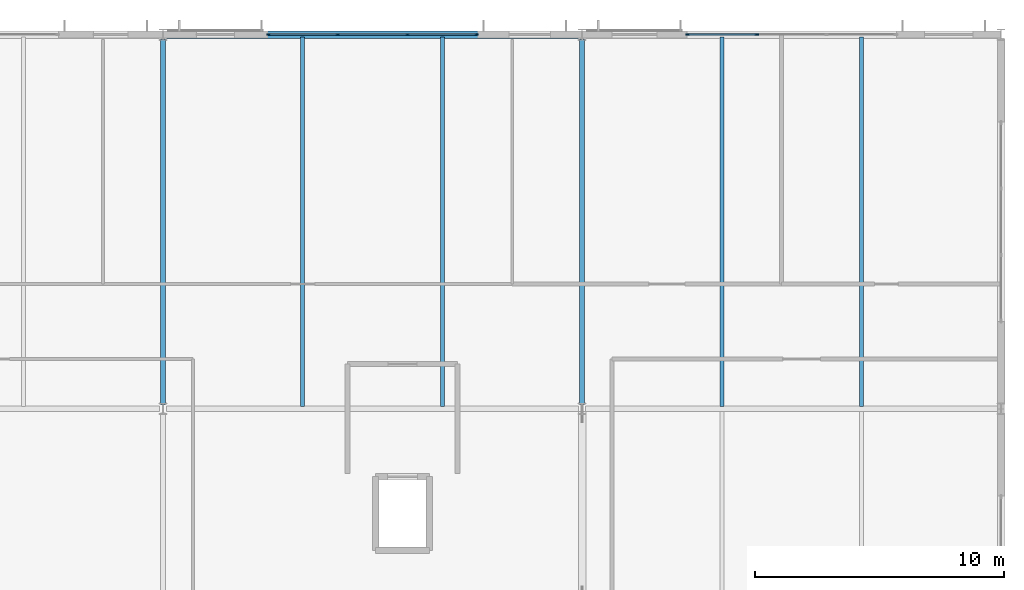
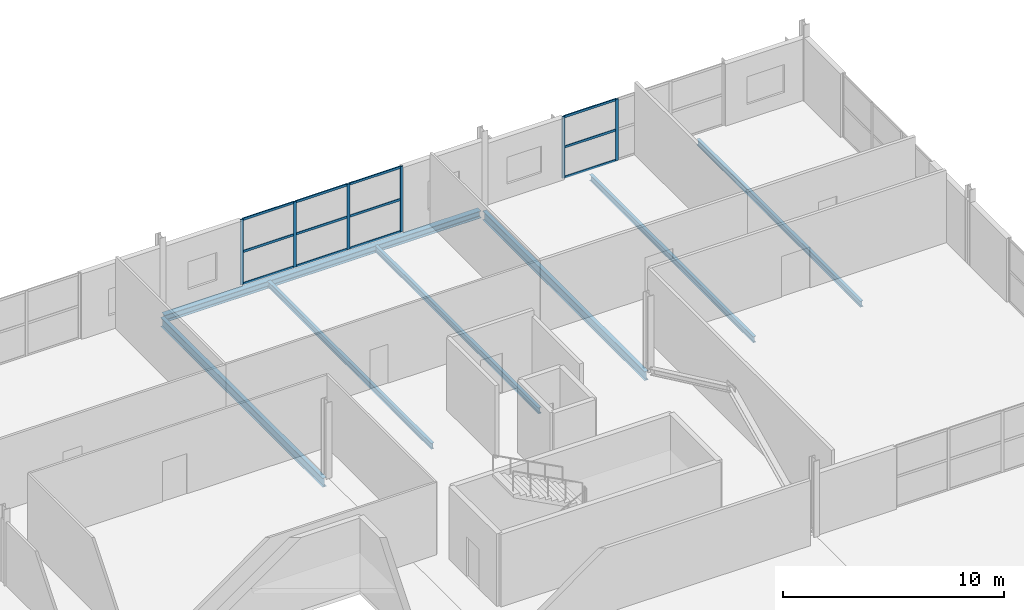
# One storey, part 22 of 39: 18 members, 7 beams, 2 elements without a shape of their own.
"""IFC4 building model written with IfcOpenShell, lengths in metres."""

from ifc_helpers import new_model, si_unit, direction, frame, origin, origin_2d, place, context, subcontext, project, spatial, rectangle, i_section, extrude, material, material_profile, profile_set, type_object, element, aggregate, save


model = new_model("IFC4")

# Units and contexts
model_context = context("Model", 3, precision=1e-05, world=origin(), true_north=direction((0.0, 1.0)))
body_context = subcontext(model_context, "Body", "Model", "MODEL_VIEW")
ifc_project = project(units=[si_unit("LENGTHUNIT", "METRE"), si_unit("AREAUNIT", "SQUARE_METRE"), si_unit("VOLUMEUNIT", "CUBIC_METRE"), si_unit("PLANEANGLEUNIT", "RADIAN"), si_unit("MASSUNIT", "GRAM", prefix="KILO")], contexts=[model_context])

# Site, building, storey
site_placement = place(None, origin())
site = spatial("IfcSite", under=ifc_project, at=site_placement, CompositionType="ELEMENT")
building_placement = place(site_placement, origin())
building = spatial("IfcBuilding", under=site, at=building_placement, Name="Kimbaza Rail Terminus", CompositionType="ELEMENT")
storey_placement = place(building_placement, frame((0.0, 0.0, 16.800048828125)))
storey = spatial("IfcBuildingStorey", under=building, at=storey_placement, Name="L03", CompositionType="ELEMENT", Elevation=16.800048828125)

# Curtain wall, members
ifc_material_1 = material(Name="Anodised aluminium framing and solar low-E glazing", Category="aluminium")
curtain_wall_type = type_object("IfcCurtainWallType", Name="ARC-CW-OP2", PredefinedType="USERDEFINED", material=ifc_material_1)
curtain_wall_1_placement = place(storey_placement, origin())
curtain_wall_1 = element("IfcCurtainWall", 1, at=curtain_wall_1_placement, inside=storey, type_object=curtain_wall_type, Name="Operations North Curtain Wall L03 Bay 5", ObjectType="STICK CURTAIN WALL", PredefinedType="USERDEFINED")
ifc_material_2 = material(Name="Anodised architectural aluminium", Category="aluminium")
ifc_material_profile_1 = material_profile(ifc_material_2, rectangle(XDim=0.05810546875, YDim=0.14990234375, at=origin_2d()), Name="MULLION 58x150")
ifc_profile_set_1 = profile_set([ifc_material_profile_1], Name="Anodised architectural aluminium")
member_type_1 = type_object("IfcMemberType", Name="ARC-CWM-06", PredefinedType="MULLION", material=ifc_profile_set_1)
member_1_placement = place(storey_placement, frame((126.62890625, 133.0, 0.0), z_axis=(0.0, 0.0, 1.0), x_axis=(0.0, 1.0, 0.0)))
member_1 = element("IfcMember", 2, at=member_1_placement, type_object=member_type_1, Name="CW-06 mullion 1", PredefinedType="MULLION", context=body_context, shape_type="SweptSolid", body=[
    extrude(rectangle(XDim=0.05810546875, YDim=0.14990234375, at=origin_2d()), origin(), (0.0, 0.0, 1.0), 3.60498046875),
])
member_2_placement = place(storey_placement, frame((129.39990234375, 133.0, 0.0), z_axis=(0.0, 0.0, 1.0), x_axis=(0.0, 1.0, 0.0)))
member_2 = element("IfcMember", 3, at=member_2_placement, type_object=member_type_1, Name="CW-06 mullion 2", PredefinedType="MULLION", context=body_context, shape_type="SweptSolid", body=[
    extrude(rectangle(XDim=0.05810546875, YDim=0.14990234375, at=origin_2d()), origin(), (0.0, 0.0, 1.0), 3.60498046875),
])
member_3_placement = place(storey_placement, frame((132.199951171875, 133.0, 0.0), z_axis=(0.0, 0.0, 1.0), x_axis=(0.0, 1.0, 0.0)))
member_3 = element("IfcMember", 4, at=member_3_placement, type_object=member_type_1, Name="CW-06 mullion 3", PredefinedType="MULLION", context=body_context, shape_type="SweptSolid", body=[
    extrude(rectangle(XDim=0.05810546875, YDim=0.14990234375, at=origin_2d()), origin(), (0.0, 0.0, 1.0), 3.60498046875),
])
member_4_placement = place(storey_placement, frame((134.970947265625, 133.0, 0.0), z_axis=(0.0, 0.0, 1.0), x_axis=(0.0, 1.0, 0.0)))
member_4 = element("IfcMember", 5, at=member_4_placement, type_object=member_type_1, Name="CW-06 mullion 4", PredefinedType="MULLION", context=body_context, shape_type="SweptSolid", body=[
    extrude(rectangle(XDim=0.05810546875, YDim=0.14990234375, at=origin_2d()), origin(), (0.0, 0.0, 1.0), 3.60498046875),
])

curtain_wall_2_placement = place(storey_placement, origin())
curtain_wall_2 = element("IfcCurtainWall", 6, at=curtain_wall_2_placement, inside=storey, type_object=curtain_wall_type, Name="Operations North Curtain Wall L03 Bay 6", ObjectType="STICK CURTAIN WALL", PredefinedType="USERDEFINED")
member_5_placement = place(storey_placement, frame((143.428955078125, 133.0, 0.0), z_axis=(0.0, 0.0, 1.0), x_axis=(0.0, 1.0, 0.0)))
member_5 = element("IfcMember", 7, at=member_5_placement, type_object=member_type_1, Name="CW-06 mullion 1", PredefinedType="MULLION", context=body_context, shape_type="SweptSolid", body=[
    extrude(rectangle(XDim=0.05810546875, YDim=0.14990234375, at=origin_2d()), origin(), (0.0, 0.0, 1.0), 3.39501953125),
])
member_6_placement = place(storey_placement, frame((146.199951171875, 133.0, 0.0), z_axis=(0.0, 0.0, 1.0), x_axis=(0.0, 1.0, 0.0)))
member_6 = element("IfcMember", 8, at=member_6_placement, type_object=member_type_1, Name="CW-06 mullion 2", PredefinedType="MULLION", context=body_context, shape_type="SweptSolid", body=[
    extrude(rectangle(XDim=0.05810546875, YDim=0.14990234375, at=origin_2d()), origin(), (0.0, 0.0, 1.0), 3.39501953125),
])

# Member
ifc_material_3 = material(Name="Anodised architectural aluminium", Category="aluminium")
ifc_material_profile_2 = material_profile(ifc_material_3, rectangle(XDim=0.05810546875, YDim=0.125, at=origin_2d()), Name="TRANSOM 58x125")
ifc_profile_set_2 = profile_set([ifc_material_profile_2], Name="Anodised architectural aluminium")
member_type_2 = type_object("IfcMemberType", Name="ARC-CWT-06", PredefinedType="USERDEFINED", material=ifc_profile_set_2)
member_7_placement = place(storey_placement, frame((126.657958984375, 133.0, 0.029052734375), z_axis=(1.0, 0.0, 0.0), x_axis=(0.0, 1.0, 0.0)))
member_7 = element("IfcMember", 9, at=member_7_placement, type_object=member_type_2, Name="CW-06 transom 1.1", ObjectType="TRANSOM", PredefinedType="USERDEFINED", context=body_context, shape_type="SweptSolid", body=[
    extrude(rectangle(XDim=0.05810546875, YDim=0.125, at=origin_2d()), origin(), (0.0, 0.0, 1.0), 2.713134765625),
])

member_8_placement = place(storey_placement, frame((126.657958984375, 133.0, 1.802490234375), z_axis=(1.0, 0.0, 0.0), x_axis=(0.0, 1.0, 0.0)))
member_8 = element("IfcMember", 10, at=member_8_placement, type_object=member_type_2, Name="CW-06 transom 1.2", ObjectType="TRANSOM", PredefinedType="USERDEFINED", context=body_context, shape_type="SweptSolid", body=[
    extrude(rectangle(XDim=0.05810546875, YDim=0.125, at=origin_2d()), origin(), (0.0, 0.0, 1.0), 2.713134765625),
])

member_9_placement = place(storey_placement, frame((126.657958984375, 133.0, 3.575927734375), z_axis=(1.0, 0.0, 0.0), x_axis=(0.0, 1.0, 0.0)))
member_9 = element("IfcMember", 11, at=member_9_placement, type_object=member_type_2, Name="CW-06 transom 1.3", ObjectType="TRANSOM", PredefinedType="USERDEFINED", context=body_context, shape_type="SweptSolid", body=[
    extrude(rectangle(XDim=0.05810546875, YDim=0.125, at=origin_2d()), origin(), (0.0, 0.0, 1.0), 2.713134765625),
])

member_10_placement = place(storey_placement, frame((129.428955078125, 133.0, 0.029052734375), z_axis=(1.0, 0.0, 0.0), x_axis=(0.0, 1.0, 0.0)))
member_10 = element("IfcMember", 12, at=member_10_placement, type_object=member_type_2, Name="CW-06 transom 2.1", ObjectType="TRANSOM", PredefinedType="USERDEFINED", context=body_context, shape_type="SweptSolid", body=[
    extrude(rectangle(XDim=0.05810546875, YDim=0.125, at=origin_2d()), origin(), (0.0, 0.0, 1.0), 2.741943359375),
])

member_11_placement = place(storey_placement, frame((129.428955078125, 133.0, 1.802490234375), z_axis=(1.0, 0.0, 0.0), x_axis=(0.0, 1.0, 0.0)))
member_11 = element("IfcMember", 13, at=member_11_placement, type_object=member_type_2, Name="CW-06 transom 2.2", ObjectType="TRANSOM", PredefinedType="USERDEFINED", context=body_context, shape_type="SweptSolid", body=[
    extrude(rectangle(XDim=0.05810546875, YDim=0.125, at=origin_2d()), origin(), (0.0, 0.0, 1.0), 2.741943359375),
])

member_12_placement = place(storey_placement, frame((129.428955078125, 133.0, 3.575927734375), z_axis=(1.0, 0.0, 0.0), x_axis=(0.0, 1.0, 0.0)))
member_12 = element("IfcMember", 14, at=member_12_placement, type_object=member_type_2, Name="CW-06 transom 2.3", ObjectType="TRANSOM", PredefinedType="USERDEFINED", context=body_context, shape_type="SweptSolid", body=[
    extrude(rectangle(XDim=0.05810546875, YDim=0.125, at=origin_2d()), origin(), (0.0, 0.0, 1.0), 2.741943359375),
])

member_13_placement = place(storey_placement, frame((132.22900390625, 133.0, 0.029052734375), z_axis=(1.0, 0.0, 0.0), x_axis=(0.0, 1.0, 0.0)))
member_13 = element("IfcMember", 15, at=member_13_placement, type_object=member_type_2, Name="CW-06 transom 3.1", ObjectType="TRANSOM", PredefinedType="USERDEFINED", context=body_context, shape_type="SweptSolid", body=[
    extrude(rectangle(XDim=0.05810546875, YDim=0.125, at=origin_2d()), origin(), (0.0, 0.0, 1.0), 2.712890625),
])

member_14_placement = place(storey_placement, frame((132.22900390625, 133.0, 1.802490234375), z_axis=(1.0, 0.0, 0.0), x_axis=(0.0, 1.0, 0.0)))
member_14 = element("IfcMember", 16, at=member_14_placement, type_object=member_type_2, Name="CW-06 transom 3.2", ObjectType="TRANSOM", PredefinedType="USERDEFINED", context=body_context, shape_type="SweptSolid", body=[
    extrude(rectangle(XDim=0.05810546875, YDim=0.125, at=origin_2d()), origin(), (0.0, 0.0, 1.0), 2.712890625),
])

member_15_placement = place(storey_placement, frame((132.22900390625, 133.0, 3.575927734375), z_axis=(1.0, 0.0, 0.0), x_axis=(0.0, 1.0, 0.0)))
member_15 = element("IfcMember", 17, at=member_15_placement, type_object=member_type_2, Name="CW-06 transom 3.3", ObjectType="TRANSOM", PredefinedType="USERDEFINED", context=body_context, shape_type="SweptSolid", body=[
    extrude(rectangle(XDim=0.05810546875, YDim=0.125, at=origin_2d()), origin(), (0.0, 0.0, 1.0), 2.712890625),
])

aggregate(curtain_wall_1, [member_1, member_2, member_3, member_4, member_7, member_8, member_9, member_10, member_11, member_12, member_13, member_14, member_15])

member_16_placement = place(storey_placement, frame((143.4580078125, 133.0, 0.029052734375), z_axis=(1.0, 0.0, 0.0), x_axis=(0.0, 1.0, 0.0)))
member_16 = element("IfcMember", 18, at=member_16_placement, type_object=member_type_2, Name="CW-06 transom 1.1", ObjectType="TRANSOM", PredefinedType="USERDEFINED", context=body_context, shape_type="SweptSolid", body=[
    extrude(rectangle(XDim=0.05810546875, YDim=0.125, at=origin_2d()), origin(), (0.0, 0.0, 1.0), 2.712890625),
])

member_17_placement = place(storey_placement, frame((143.4580078125, 133.0, 1.697509765625), z_axis=(1.0, 0.0, 0.0), x_axis=(0.0, 1.0, 0.0)))
member_17 = element("IfcMember", 19, at=member_17_placement, type_object=member_type_2, Name="CW-06 transom 1.2", ObjectType="TRANSOM", PredefinedType="USERDEFINED", context=body_context, shape_type="SweptSolid", body=[
    extrude(rectangle(XDim=0.05810546875, YDim=0.125, at=origin_2d()), origin(), (0.0, 0.0, 1.0), 2.712890625),
])

member_18_placement = place(storey_placement, frame((143.4580078125, 133.0, 3.365966796875), z_axis=(1.0, 0.0, 0.0), x_axis=(0.0, 1.0, 0.0)))
member_18 = element("IfcMember", 20, at=member_18_placement, type_object=member_type_2, Name="CW-06 transom 1.3", ObjectType="TRANSOM", PredefinedType="USERDEFINED", context=body_context, shape_type="SweptSolid", body=[
    extrude(rectangle(XDim=0.05810546875, YDim=0.125, at=origin_2d()), origin(), (0.0, 0.0, 1.0), 2.712890625),
])

aggregate(curtain_wall_2, [member_5, member_6, member_16, member_17, member_18])

# Beams
ifc_material_4 = material(Name="Steel S355", Category="steel")
ifc_material_profile_3 = material_profile(ifc_material_4, i_section(OverallWidth=0.300048828125, OverallDepth=0.389892578125, WebThickness=0.010986328125, FlangeThickness=0.01904296875, FilletRadius=0.027099609375, at=origin_2d()), Name="HEA 400")
ifc_profile_set_3 = profile_set([ifc_material_profile_3], Name="Steel S355")
beam_type_1 = type_object("IfcBeamType", Name="STR-BM-HEA400", PredefinedType="SPANDREL", material=ifc_profile_set_3)
beam_placement = place(storey_placement, frame((122.5458984375, 133.0, -0.39501953125), z_axis=(1.0, 0.0, 0.0), x_axis=(0.0, 1.0, 0.0)))
element("IfcBeam", 21, at=beam_placement, inside=storey, type_object=beam_type_1, Name="Operations Girder L03 X4-Y2", PredefinedType="SPANDREL", context=body_context, shape_type="SweptSolid", body=[
    extrude(i_section(OverallWidth=0.300048828125, OverallDepth=0.389892578125, WebThickness=0.010986328125, FlangeThickness=0.01904296875, FilletRadius=0.027099609375, at=origin_2d()), origin(), (0.0, 0.0, 1.0), 16.508056640625),
])
ifc_material_5 = material(Name="Steel S355", Category="steel")
ifc_material_profile_4 = material_profile(ifc_material_5, i_section(OverallWidth=0.159912109375, OverallDepth=0.330078125, WebThickness=0.007568359375, FlangeThickness=0.011474609375, FilletRadius=0.01806640625, at=origin_2d()), Name="IPE 330")
ifc_profile_set_4 = profile_set([ifc_material_profile_4], Name="Steel S355")
beam_type_2 = type_object("IfcBeamType", Name="STR-BM-IPE330", PredefinedType="JOIST", material=ifc_profile_set_4)
for number, where, z_axis, x_axis, name in (
    (22, (128.0, 118.10009765625, -0.364990234375), (0.0, 1.0, 0.0), (-1.0, 0.0, 0.0), "Operations Secondary Joist L03"),
    (23, (133.60009765625, 118.10009765625, -0.364990234375), (0.0, 1.0, 0.0), (-1.0, 0.0, 0.0), "Operations Secondary Joist L03"),
    (24, (144.800048828125, 118.10009765625, -0.364990234375), (0.0, 1.0, 0.0), (-1.0, 0.0, 0.0), "Operations Secondary Joist L03"),
    (25, (150.39990234375, 118.10009765625, -0.364990234375), (0.0, 1.0, 0.0), (-1.0, 0.0, 0.0), "Operations Secondary Joist L03"),
):
    element("IfcBeam", number, at=place(storey_placement, frame(where, z_axis=z_axis, x_axis=x_axis)), inside=storey, type_object=beam_type_2, Name=name, PredefinedType="JOIST", context=body_context, shape_type="SweptSolid", body=[
        extrude(i_section(OverallWidth=0.159912109375, OverallDepth=0.330078125, WebThickness=0.007568359375, FlangeThickness=0.011474609375, FilletRadius=0.01806640625, at=origin_2d()), origin(), (0.0, 0.0, 1.0), 14.7998046875),
    ])
ifc_material_6 = material(Name="Steel S355", Category="steel")
ifc_material_profile_5 = material_profile(ifc_material_6, i_section(OverallWidth=0.199951171875, OverallDepth=0.5, WebThickness=0.01025390625, FlangeThickness=0.01611328125, FilletRadius=0.02099609375, at=origin_2d()), Name="IPE 500")
ifc_profile_set_5 = profile_set([ifc_material_profile_5], Name="Steel S355")
beam_type_3 = type_object("IfcBeamType", Name="STR-BM-IPE500", PredefinedType="BEAM", material=ifc_profile_set_5)
for number, where, z_axis, x_axis, name in (
    (26, (122.39990234375, 118.175048828125, -0.449951171875), (0.0, 1.0, 0.0), (-1.0, 0.0, 0.0), "Operations Cross Girder L03 X4-Y1"),
    (27, (139.199951171875, 118.175048828125, -0.449951171875), (0.0, 1.0, 0.0), (-1.0, 0.0, 0.0), "Operations Cross Girder L03 X5-Y1"),
):
    element("IfcBeam", number, at=place(storey_placement, frame(where, z_axis=z_axis, x_axis=x_axis)), inside=storey, type_object=beam_type_3, Name=name, PredefinedType="BEAM", context=body_context, shape_type="SweptSolid", body=[
        extrude(i_section(OverallWidth=0.199951171875, OverallDepth=0.5, WebThickness=0.01025390625, FlangeThickness=0.01611328125, FilletRadius=0.02099609375, at=origin_2d()), origin(), (0.0, 0.0, 1.0), 14.64990234375),
    ])

save(model, "model.ifc")
